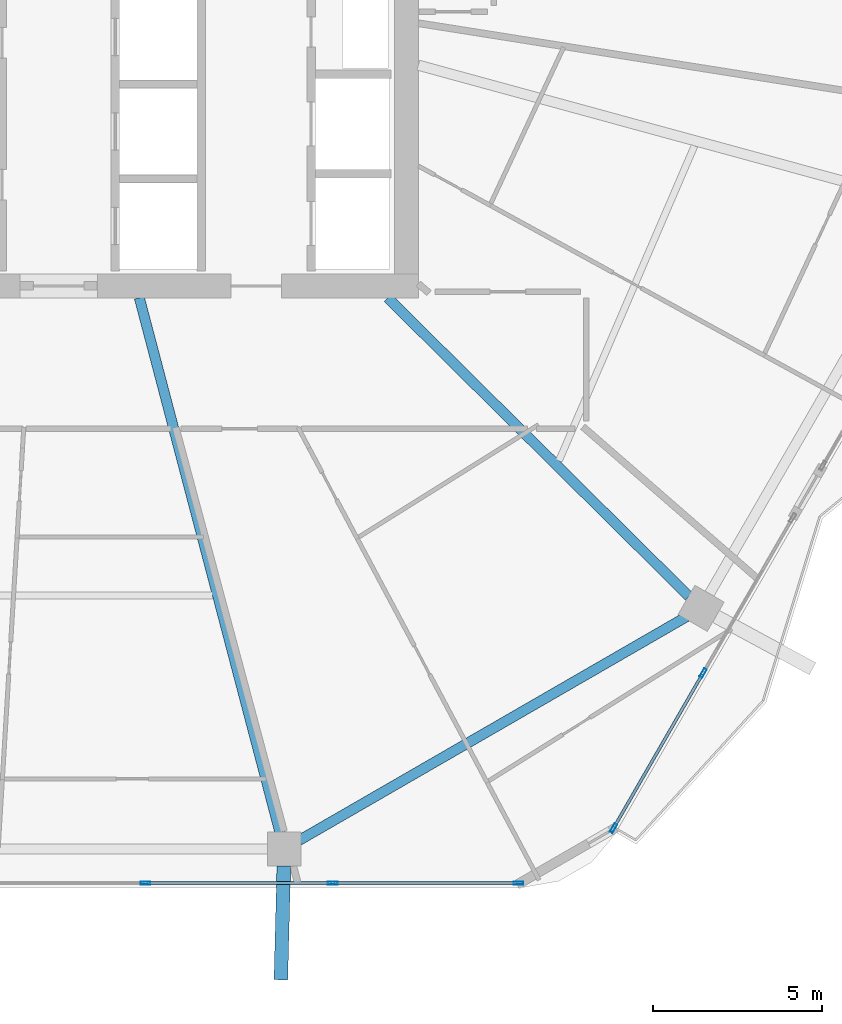
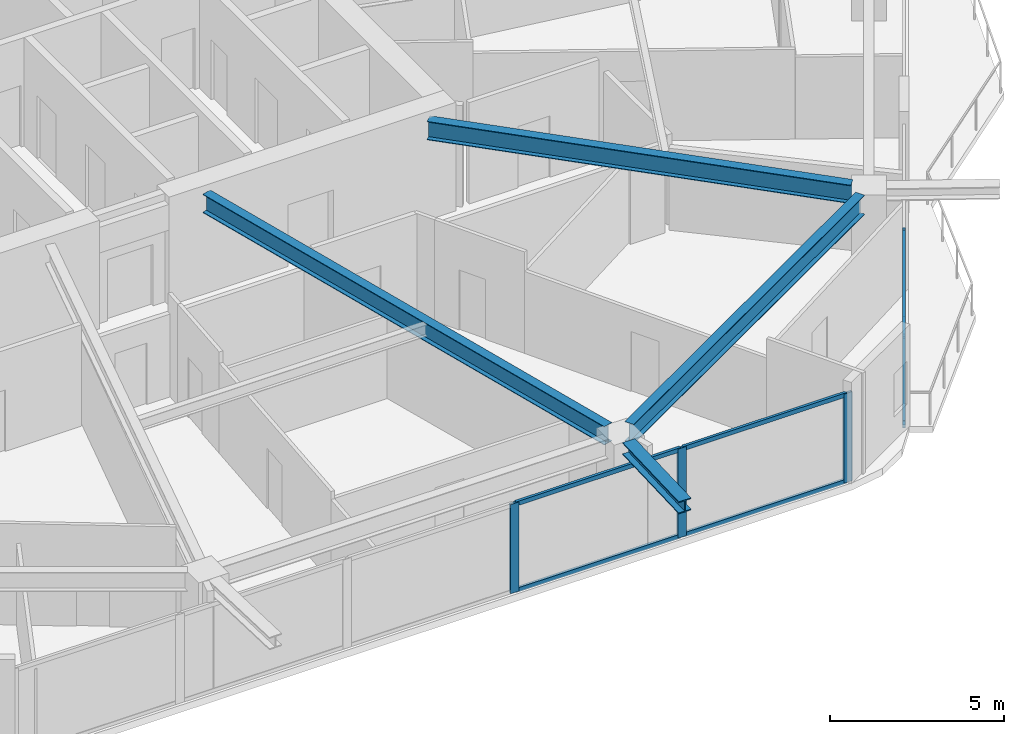
# One storey, part 7 of 26: 11 members, 4 beams, 2 elements without a shape of their own.
"""IFC4 building model written with IfcOpenShell, lengths in metres."""

from ifc_helpers import new_model, si_unit, direction, frame, origin, origin_2d, place, context, subcontext, project, spatial, hollow_rectangle, i_section, extrude, material, material_profile, profile_set, type_object, element, aggregate, save


model = new_model("IFC4")

# Units and contexts
model_context = context("Model", 3, precision=1e-05, world=origin(), true_north=direction((0.0, 1.0)))
body_context = subcontext(model_context, "Body", "Model", "MODEL_VIEW")
ifc_project = project(units=[si_unit("LENGTHUNIT", "METRE"), si_unit("AREAUNIT", "SQUARE_METRE"), si_unit("VOLUMEUNIT", "CUBIC_METRE"), si_unit("PLANEANGLEUNIT", "RADIAN"), si_unit("MASSUNIT", "GRAM", prefix="KILO")], contexts=[model_context])

# Site, building, storey
site_placement = place(None, origin())
site = spatial("IfcSite", under=ifc_project, at=site_placement, CompositionType="ELEMENT")
building_placement = place(site_placement, origin())
building = spatial("IfcBuilding", under=site, at=building_placement, Name="Zuhravey Tower", CompositionType="ELEMENT")
storey_placement = place(building_placement, frame((0.0, 0.0, 165.60009765625)))
storey = spatial("IfcBuildingStorey", under=building, at=storey_placement, Name="L41", CompositionType="ELEMENT", Elevation=165.60009765625)

# Curtain wall, members
ifc_material_1 = material(Name="Thermally broken anodised aluminium", Category="aluminium")
curtain_wall_type = type_object("IfcCurtainWallType", Name="Zone 1-2 Residential Curtain Wall CW3", PredefinedType="NOTDEFINED", material=ifc_material_1)
curtain_wall_1_placement = place(storey_placement, origin())
curtain_wall_1 = element("IfcCurtainWall", 1, at=curtain_wall_1_placement, inside=storey, type_object=curtain_wall_type, Name="L41 CW3 CW-L41-F6-2", PredefinedType="NOTDEFINED")
ifc_material_2 = material(Name="Anodised aluminium", Category="aluminium")
ifc_material_profile_1 = material_profile(ifc_material_2, hollow_rectangle(XDim=0.090087890625, YDim=0.284912109375, WallThickness=0.0048828125, at=origin_2d()), Name="ALU-RHS-90x285x5")
ifc_profile_set_1 = profile_set([ifc_material_profile_1], Name="Anodised aluminium")
member_type_1 = type_object("IfcMemberType", Name="Curtain-Wall Mullion 90x180", PredefinedType="MULLION", material=ifc_profile_set_1)
member_1_placement = place(storey_placement, frame((55.28466796875, 11.03564453125, 0.0), z_axis=(0.0, 0.0, 1.0), x_axis=(0.866025681859, -0.499999518361, 0.0)))
member_1 = element("IfcMember", 2, at=member_1_placement, type_object=member_type_1, Name="CW3 mullion 2", PredefinedType="MULLION", context=body_context, shape_type="SweptSolid", body=[
    extrude(hollow_rectangle(XDim=0.090087890625, YDim=0.284912109375, WallThickness=0.0048828125, at=origin_2d()), origin(), (0.0, 0.0, 1.0), 3.121826171875),
])
member_2_placement = place(storey_placement, frame((52.63330078125, 6.443359375, 0.0), z_axis=(0.0, 0.0, 1.0), x_axis=(0.866025681859, -0.499999518361, 0.0)))
member_2 = element("IfcMember", 3, at=member_2_placement, type_object=member_type_1, Name="CW3 mullion 3", PredefinedType="MULLION", context=body_context, shape_type="SweptSolid", body=[
    extrude(hollow_rectangle(XDim=0.090087890625, YDim=0.284912109375, WallThickness=0.0048828125, at=origin_2d()), origin(), (0.0, 0.0, 1.0), 3.121826171875),
])

curtain_wall_2_placement = place(storey_placement, origin())
curtain_wall_2 = element("IfcCurtainWall", 4, at=curtain_wall_2_placement, inside=storey, type_object=curtain_wall_type, Name="L41 CW3 CW-L41-F5-1", PredefinedType="NOTDEFINED")
member_3_placement = place(storey_placement, frame((49.816162109375, 4.81689453125, 0.0), z_axis=(0.0, 0.0, 1.0), x_axis=(0.0, -1.0, 0.0)))
member_3 = element("IfcMember", 5, at=member_3_placement, type_object=member_type_1, Name="CW3 mullion 1", PredefinedType="MULLION", context=body_context, shape_type="SweptSolid", body=[
    extrude(hollow_rectangle(XDim=0.090087890625, YDim=0.284912109375, WallThickness=0.0048828125, at=origin_2d()), origin(), (0.0, 0.0, 1.0), 3.121826171875),
])
member_4_placement = place(storey_placement, frame((44.316650390625, 4.81689453125, 0.0), z_axis=(0.0, 0.0, 1.0), x_axis=(0.0, -1.0, 0.0)))
member_4 = element("IfcMember", 6, at=member_4_placement, type_object=member_type_1, Name="CW3 mullion 2", PredefinedType="MULLION", context=body_context, shape_type="SweptSolid", body=[
    extrude(hollow_rectangle(XDim=0.090087890625, YDim=0.284912109375, WallThickness=0.0048828125, at=origin_2d()), origin(), (0.0, 0.0, 1.0), 3.121826171875),
])
member_5_placement = place(storey_placement, frame((38.772216796875, 4.81689453125, 0.0), z_axis=(0.0, 0.0, 1.0), x_axis=(0.0, -1.0, 0.0)))
member_5 = element("IfcMember", 7, at=member_5_placement, type_object=member_type_1, Name="CW3 mullion 3", PredefinedType="MULLION", context=body_context, shape_type="SweptSolid", body=[
    extrude(hollow_rectangle(XDim=0.090087890625, YDim=0.284912109375, WallThickness=0.0048828125, at=origin_2d()), origin(), (0.0, 0.0, 1.0), 3.121826171875),
])

# Member
ifc_material_profile_2 = material_profile(ifc_material_2, hollow_rectangle(XDim=0.090087890625, YDim=0.14990234375, WallThickness=0.0048828125, at=origin_2d()), Name="ALU-RHS-90x150x5")
ifc_profile_set_2 = profile_set([ifc_material_profile_2], Name="Anodised aluminium")
member_type_2 = type_object("IfcMemberType", Name="Curtain-Wall Transom 90x150", PredefinedType="USERDEFINED", material=ifc_profile_set_2)
member_6_placement = place(storey_placement, frame((55.261962890625, 10.99658203125, 0.044921875), z_axis=(-0.499992746786, -0.866029591389, 0.0), x_axis=(0.866029591389, -0.499992746786, 0.0)))
member_6 = element("IfcMember", 8, at=member_6_placement, type_object=member_type_2, Name="CW3 transom 2.1", ObjectType="TRANSOM", PredefinedType="USERDEFINED", context=body_context, shape_type="SweptSolid", body=[
    extrude(hollow_rectangle(XDim=0.090087890625, YDim=0.14990234375, WallThickness=0.0048828125, at=origin_2d()), origin(), (0.0, 0.0, 1.0), 5.21240234375),
])

member_7_placement = place(storey_placement, frame((55.261962890625, 10.99658203125, 3.076904296875), z_axis=(-0.499992746786, -0.866029591389, 0.0), x_axis=(0.866029591389, -0.499992746786, 0.0)))
member_7 = element("IfcMember", 9, at=member_7_placement, type_object=member_type_2, Name="CW3 transom 2.2", ObjectType="TRANSOM", PredefinedType="USERDEFINED", context=body_context, shape_type="SweptSolid", body=[
    extrude(hollow_rectangle(XDim=0.090087890625, YDim=0.14990234375, WallThickness=0.0048828125, at=origin_2d()), origin(), (0.0, 0.0, 1.0), 5.21240234375),
])

aggregate(curtain_wall_1, [member_1, member_2, member_6, member_7])

member_8_placement = place(storey_placement, frame((49.77099609375, 4.81689453125, 0.044921875), z_axis=(-1.0, 0.0, 0.0), x_axis=(0.0, -1.0, 0.0)))
member_8 = element("IfcMember", 10, at=member_8_placement, type_object=member_type_2, Name="CW3 transom 1.1", ObjectType="TRANSOM", PredefinedType="USERDEFINED", context=body_context, shape_type="SweptSolid", body=[
    extrude(hollow_rectangle(XDim=0.090087890625, YDim=0.14990234375, WallThickness=0.0048828125, at=origin_2d()), origin(), (0.0, 0.0, 1.0), 5.409423828125),
])

member_9_placement = place(storey_placement, frame((49.77099609375, 4.81689453125, 3.076904296875), z_axis=(-1.0, 0.0, 0.0), x_axis=(0.0, -1.0, 0.0)))
member_9 = element("IfcMember", 11, at=member_9_placement, type_object=member_type_2, Name="CW3 transom 1.2", ObjectType="TRANSOM", PredefinedType="USERDEFINED", context=body_context, shape_type="SweptSolid", body=[
    extrude(hollow_rectangle(XDim=0.090087890625, YDim=0.14990234375, WallThickness=0.0048828125, at=origin_2d()), origin(), (0.0, 0.0, 1.0), 5.409423828125),
])

member_10_placement = place(storey_placement, frame((44.271728515625, 4.81689453125, 0.044921875), z_axis=(-1.0, 0.0, 0.0), x_axis=(0.0, -1.0, 0.0)))
member_10 = element("IfcMember", 12, at=member_10_placement, type_object=member_type_2, Name="CW3 transom 2.1", ObjectType="TRANSOM", PredefinedType="USERDEFINED", context=body_context, shape_type="SweptSolid", body=[
    extrude(hollow_rectangle(XDim=0.090087890625, YDim=0.14990234375, WallThickness=0.0048828125, at=origin_2d()), origin(), (0.0, 0.0, 1.0), 5.45458984375),
])

member_11_placement = place(storey_placement, frame((44.271728515625, 4.81689453125, 3.076904296875), z_axis=(-1.0, 0.0, 0.0), x_axis=(0.0, -1.0, 0.0)))
member_11 = element("IfcMember", 13, at=member_11_placement, type_object=member_type_2, Name="CW3 transom 2.2", ObjectType="TRANSOM", PredefinedType="USERDEFINED", context=body_context, shape_type="SweptSolid", body=[
    extrude(hollow_rectangle(XDim=0.090087890625, YDim=0.14990234375, WallThickness=0.0048828125, at=origin_2d()), origin(), (0.0, 0.0, 1.0), 5.45458984375),
])

aggregate(curtain_wall_2, [member_3, member_4, member_5, member_8, member_9, member_10, member_11])

# Beams
ifc_material_3 = material(Name="Steel SM460", Category="steel")
ifc_material_profile_3 = material_profile(ifc_material_3, i_section(OverallWidth=0.406982421875, OverallDepth=0.427978515625, WebThickness=0.02001953125, FlangeThickness=0.034912109375, at=origin_2d()), Name="H-428x407x20x35")
ifc_profile_set_3 = profile_set([ifc_material_profile_3], Name="Steel SM460")
beam_type_1 = type_object("IfcBeamType", Name="Exoskeleton Node Tie Beam H428x407", PredefinedType="BEAM", material=ifc_profile_set_3)
beam_1_placement = place(storey_placement, frame((42.868896484375, 5.322998046875, 3.3359375), z_axis=(-0.025918289048, -0.99966406472, 0.0), x_axis=(0.99966406472, -0.025918289048, 0.0)))
element("IfcBeam", 14, at=beam_1_placement, inside=storey, type_object=beam_type_1, Name="L41 Exoskeleton Node Tie NT1-10", PredefinedType="BEAM", context=body_context, shape_type="SweptSolid", body=[
    extrude(i_section(OverallWidth=0.406982421875, OverallDepth=0.427978515625, WebThickness=0.02001953125, FlangeThickness=0.034912109375, at=origin_2d()), origin(), (0.0, 0.0, 1.0), 3.372314453125),
])
ifc_material_4 = material(Name="Steel SM355", Category="steel")
ifc_material_profile_4 = material_profile(ifc_material_4, i_section(OverallWidth=0.300048828125, OverallDepth=0.679931640625, WebThickness=0.012939453125, FlangeThickness=0.02197265625, at=origin_2d()), Name="H-680x300x13x22")
ifc_profile_set_4 = profile_set([ifc_material_profile_4], Name="Steel SM355")
beam_type_2 = type_object("IfcBeamType", Name="Perimeter Ring Beam H680x300", PredefinedType="BEAM", material=ifc_profile_set_4)
beam_2_placement = place(storey_placement, frame((43.317626953125, 6.078369140625, 3.2099609375), z_axis=(0.866022923061, 0.500004296715, 0.0), x_axis=(-0.500004296715, 0.866022923061, 0.0)))
element("IfcBeam", 15, at=beam_2_placement, inside=storey, type_object=beam_type_2, Name="L41 PB2 BM-L41-PB-10", PredefinedType="BEAM", context=body_context, shape_type="SweptSolid", body=[
    extrude(i_section(OverallWidth=0.300048828125, OverallDepth=0.679931640625, WebThickness=0.012939453125, FlangeThickness=0.02197265625, at=origin_2d()), origin(), (0.0, 0.0, 1.0), 13.2470703125),
])
ifc_material_profile_5 = material_profile(ifc_material_4, i_section(OverallWidth=0.300048828125, OverallDepth=0.64990234375, WebThickness=0.012939453125, FlangeThickness=0.02197265625, at=origin_2d()), Name="H-650x300x13x22")
ifc_profile_set_5 = profile_set([ifc_material_profile_5], Name="Steel SM355")
beam_type_3 = type_object("IfcBeamType", Name="Radial Primary Girder H650x300", PredefinedType="BEAM", material=ifc_profile_set_5)
beam_3_placement = place(storey_placement, frame((38.5908203125, 22.14697265625, 3.224853515625), z_axis=(0.254300244998, -0.967125320418, 0.0), x_axis=(0.967125320418, 0.254300244998, 0.0)))
element("IfcBeam", 16, at=beam_3_placement, inside=storey, type_object=beam_type_3, Name="L41 RG2 BM-L41-RAD-10", PredefinedType="BEAM", context=body_context, shape_type="SweptSolid", body=[
    extrude(i_section(OverallWidth=0.300048828125, OverallDepth=0.64990234375, WebThickness=0.012939453125, FlangeThickness=0.02197265625, at=origin_2d()), origin(), (0.0, 0.0, 1.0), 16.371826171875),
])
beam_4_placement = place(storey_placement, frame((45.945556640625, 22.14697265625, 3.224853515625), z_axis=(0.71040353357, -0.703794586148, 0.0), x_axis=(0.703794586148, 0.71040353357, 0.0)))
element("IfcBeam", 17, at=beam_4_placement, inside=storey, type_object=beam_type_3, Name="L41 RG2 BM-L41-RAD-11", PredefinedType="BEAM", context=body_context, shape_type="SweptSolid", body=[
    extrude(i_section(OverallWidth=0.300048828125, OverallDepth=0.64990234375, WebThickness=0.012939453125, FlangeThickness=0.02197265625, at=origin_2d()), origin(), (0.0, 0.0, 1.0), 12.559814453125),
])

save(model, "model.ifc")
